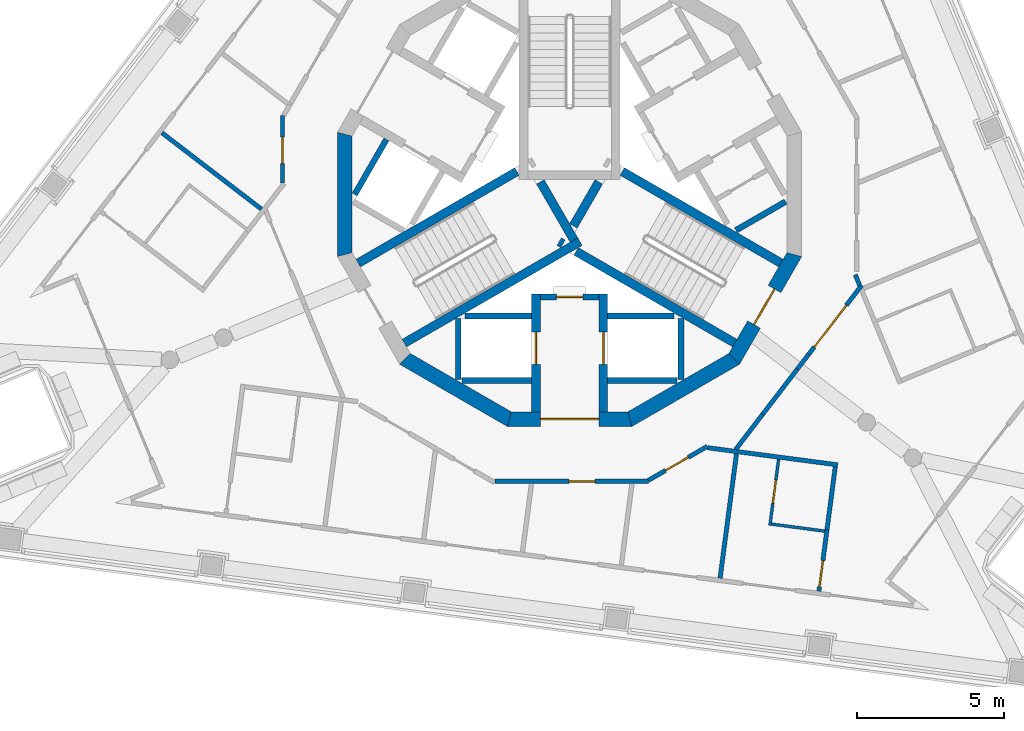
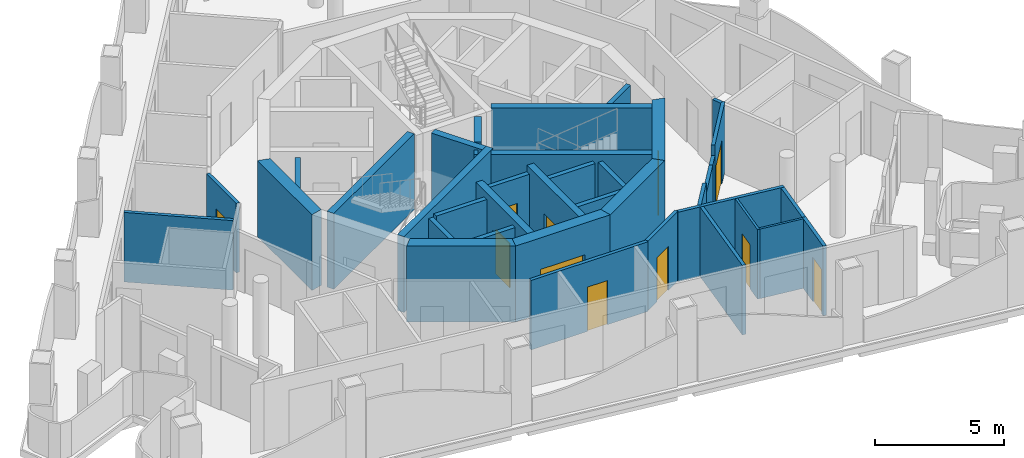
# One storey, part 3 of 12: 38 walls, 11 doors, 11 openings.
"""IFC4 building model written with IfcOpenShell, lengths in metres."""

from ifc_helpers import new_model, si_unit, direction, frame, frame_2d, origin, place, context, subcontext, project, spatial, polyline, rectangle, outline, extrude, material, layer, layer_set, type_object, element, fill, save


model = new_model("IFC4")

# Units and contexts
model_context = context("Model", 3, precision=1e-05, world=origin(), true_north=direction((0.0, 1.0)))
body_context = subcontext(model_context, "Body", "Model", "MODEL_VIEW")
ifc_project = project(units=[si_unit("LENGTHUNIT", "METRE"), si_unit("AREAUNIT", "SQUARE_METRE"), si_unit("VOLUMEUNIT", "CUBIC_METRE"), si_unit("PLANEANGLEUNIT", "RADIAN"), si_unit("MASSUNIT", "GRAM", prefix="KILO")], contexts=[model_context])

# Site, building, storey
site_placement = place(None, origin())
site = spatial("IfcSite", under=ifc_project, at=site_placement, CompositionType="ELEMENT")
building_placement = place(site_placement, origin())
building = spatial("IfcBuilding", under=site, at=building_placement, Name="Trine Commons Tower", CompositionType="ELEMENT")
storey_placement = place(building_placement, frame((0.0, 0.0, 279.0)))
storey = spatial("IfcBuildingStorey", under=building, at=storey_placement, Name="L73", CompositionType="ELEMENT", Elevation=279.0)

# Wall, opening, door
ifc_material_1 = material(Name="Fire-rated gypsum shaft wall system")
ifc_layer_1 = layer(ifc_material_1, 0.199951171875)
ifc_layer_set_1 = layer_set([ifc_layer_1], Name="Fire-rated gypsum shaft wall system")
wall_type_1 = type_object("IfcWallType", Name="Lobby end wall 200 mm, EI 120", PredefinedType="PARTITIONING", material=ifc_layer_set_1)
wall_1_placement = place(storey_placement, frame((79.0, 59.0, 0.0), z_axis=(0.0, 0.0, 1.0), x_axis=(1.0, 0.0, 0.0)))
wall_1 = element("IfcWall", 1, at=wall_1_placement, inside=storey, type_object=wall_type_1, Name="Lobby end wall L73", PredefinedType="PARTITIONING", context=body_context, shape_type="SweptSolid", body=[
    extrude(rectangle(XDim=2.0, YDim=0.199951171875, at=frame_2d((1.0, 0.0))), origin(), (0.0, 0.0, 1.0), 3.300048828125),
])
opening_1_placement = place(wall_1_placement, frame((0.550048828125, 0.0, 0.0)))
opening_1 = element("IfcOpeningElement", 2, at=opening_1_placement, cuts=wall_1, Name="Opening K19.09", PredefinedType="OPENING", context=body_context, shape_type="SweptSolid", body=[
    extrude(rectangle(XDim=0.89990234375, YDim=2.10009765625, at=frame_2d((0.449951171875, 1.050048828125))), frame((0.0, 0.10986328125, 0.0), z_axis=(0.0, -1.0, 0.0), x_axis=(1.0, 0.0, 0.0)), (0.0, 0.0, 1.0), 0.219970703125),
])
ifc_material_2 = material(Name="Steel door leaf, fire-rated", Category="steel")
door_type_1 = type_object("IfcDoorType", Name="Riser access door, single leaf 900 x 2100, FD60", OperationType="SINGLE_SWING_LEFT", PredefinedType="DOOR", material=ifc_material_2)
door_1_placement = place(opening_1_placement, frame((0.89990234375, 0.0, 0.0), z_axis=(0.0, 0.0, 1.0), x_axis=(-1.0, 0.0, 0.0)))
door_1 = element("IfcDoor", 3, at=door_1_placement, inside=storey, type_object=door_type_1, Name="Riser door, Communications riser L73", OperationType="SINGLE_SWING_RIGHT", OverallHeight=2.10009765625, OverallWidth=0.89990234375, PredefinedType="DOOR", context=body_context, shape_type="SweptSolid", body=[
    extrude(rectangle(XDim=0.89990234375, YDim=2.10009765625, at=frame_2d((0.449951171875, 1.050048828125))), frame((0.0, 0.02490234375, 0.0), z_axis=(0.0, -1.0, 0.0), x_axis=(1.0, 0.0, 0.0)), (0.0, 0.0, 1.0), 0.050048828125),
])
fill(opening_1, door_1)

ifc_material_3 = material(Name="Concrete C50/60", Category="concrete")
ifc_layer_2 = layer(ifc_material_3, 0.300048828125)
ifc_layer_set_2 = layer_set([ifc_layer_2], Name="Concrete C50/60")
wall_type_2 = type_object("IfcWallType", Name="RC shear wall 300 mm, C50/60", PredefinedType="SHEAR", material=ifc_layer_set_2)
wall_2_placement = place(storey_placement, frame((78.85009765625, 59.10009765625, 0.0), z_axis=(0.0, 0.0, 1.0), x_axis=(0.0, -1.0, 0.0)))
wall_2 = element("IfcWall", 4, at=wall_2_placement, inside=storey, type_object=wall_type_2, Name="Core cross wall SWD-03 L73", PredefinedType="SHEAR", context=body_context, shape_type="SweptSolid", body=[
    extrude(rectangle(XDim=4.02099609375, YDim=0.300048828125, at=frame_2d((2.010498046875, 0.0))), origin(), (0.0, 0.0, 1.0), 3.60009765625),
])
opening_2_placement = place(wall_2_placement, frame((1.300048828125, 0.0, 0.0)))
opening_2 = element("IfcOpeningElement", 5, at=opening_2_placement, cuts=wall_2, Name="Opening LD10", PredefinedType="OPENING", context=body_context, shape_type="SweptSolid", body=[
    extrude(rectangle(XDim=1.10009765625, YDim=2.10009765625, at=frame_2d((0.550048828125, 1.050048828125))), frame((0.0, 0.159912109375, 0.0), z_axis=(0.0, -1.0, 0.0), x_axis=(1.0, 0.0, 0.0)), (0.0, 0.0, 1.0), 0.320068359375),
])
ifc_material_4 = material(Name="Stainless steel sliding door leaves", Category="steel")
door_type_2 = type_object("IfcDoorType", Name="Lift landing door, centre-opening sliding 1100 x 2100, FD90", OperationType="DOUBLE_DOOR_SLIDING", PredefinedType="DOOR", material=ifc_material_4)
door_2_placement = place(opening_2_placement, origin())
door_2 = element("IfcDoor", 6, at=door_2_placement, inside=storey, type_object=door_type_2, Name="Lift landing door FF2 L73", OperationType="DOUBLE_DOOR_SLIDING", OverallHeight=2.10009765625, OverallWidth=1.10009765625, PredefinedType="DOOR", context=body_context, shape_type="SweptSolid", body=[
    extrude(rectangle(XDim=1.10009765625, YDim=2.10009765625, at=frame_2d((0.550048828125, 1.050048828125))), frame((0.0, 0.02490234375, 0.0), z_axis=(0.0, -1.0, 0.0), x_axis=(1.0, 0.0, 0.0)), (0.0, 0.0, 1.0), 0.050048828125),
])
fill(opening_2, door_2)

wall_3_placement = place(storey_placement, frame((81.14990234375, 59.10009765625, 0.0), z_axis=(0.0, 0.0, 1.0), x_axis=(0.0, -1.0, 0.0)))
wall_3 = element("IfcWall", 7, at=wall_3_placement, inside=storey, type_object=wall_type_2, Name="Core cross wall SWD-04 L73", PredefinedType="SHEAR", context=body_context, shape_type="SweptSolid", body=[
    extrude(rectangle(XDim=4.02099609375, YDim=0.300048828125, at=frame_2d((2.010498046875, 0.0))), origin(), (0.0, 0.0, 1.0), 3.60009765625),
])
opening_3_placement = place(wall_3_placement, frame((1.300048828125, 0.0, 0.0)))
opening_3 = element("IfcOpeningElement", 8, at=opening_3_placement, cuts=wall_3, Name="Opening LD9", PredefinedType="OPENING", context=body_context, shape_type="SweptSolid", body=[
    extrude(rectangle(XDim=1.10009765625, YDim=2.10009765625, at=frame_2d((0.550048828125, 1.050048828125))), frame((0.0, 0.159912109375, 0.0), z_axis=(0.0, -1.0, 0.0), x_axis=(1.0, 0.0, 0.0)), (0.0, 0.0, 1.0), 0.320068359375),
])
door_3_placement = place(opening_3_placement, origin())
door_3 = element("IfcDoor", 9, at=door_3_placement, inside=storey, type_object=door_type_2, Name="Lift landing door FF1 L73", OperationType="DOUBLE_DOOR_SLIDING", OverallHeight=2.10009765625, OverallWidth=1.10009765625, PredefinedType="DOOR", context=body_context, shape_type="SweptSolid", body=[
    extrude(rectangle(XDim=1.10009765625, YDim=2.10009765625, at=frame_2d((0.550048828125, 1.050048828125))), frame((0.0, 0.02490234375, 0.0), z_axis=(0.0, -1.0, 0.0), x_axis=(1.0, 0.0, 0.0)), (0.0, 0.0, 1.0), 0.050048828125),
])
fill(opening_3, door_3)

# Walls
wall_4_placement = place(storey_placement, frame((78.199951171875, 63.280029296875, 0.0), z_axis=(0.0, 0.0, 1.0), x_axis=(-0.866013897511, -0.50001992892, 0.0)))
element("IfcWall", 10, at=wall_4_placement, inside=storey, type_object=wall_type_2, Name="Core cross wall SWD-07 L73", PredefinedType="SHEAR", context=body_context, shape_type="SweptSolid", body=[
    extrude(rectangle(XDim=6.251708984375, YDim=0.300048828125, at=frame_2d((3.1259765625, 0.0))), origin(), (0.0, 0.0, 1.0), 3.60009765625),
])
wall_5_placement = place(storey_placement, frame((79.0029296875, 62.926025390625, 0.0), z_axis=(0.0, 0.0, 1.0), x_axis=(0.499965247104, -0.866045467449, 0.0)))
element("IfcWall", 11, at=wall_5_placement, inside=storey, type_object=wall_type_2, Name="Core cross wall SWD-10 L73", PredefinedType="SHEAR", context=body_context, shape_type="SweptSolid", body=[
    extrude(rectangle(XDim=2.292236328125, YDim=0.300048828125, at=frame_2d((1.14599609375, 0.0))), origin(), (0.0, 0.0, 1.0), 3.60009765625),
])
wall_6_placement = place(storey_placement, frame((79.64599609375, 60.885986328125, 0.0), z_axis=(0.0, 0.0, 1.0), x_axis=(0.867331893649, -0.497730234424, 0.0)))
element("IfcWall", 12, at=wall_6_placement, inside=storey, type_object=wall_type_2, Name="Core cross wall SWD-11 L73", PredefinedType="SHEAR", context=body_context, shape_type="SweptSolid", body=[
    extrude(rectangle(XDim=0.148681640625, YDim=0.300048828125, at=frame_2d((0.07421875, 0.0))), origin(), (0.0, 0.0, 1.0), 3.60009765625),
])
wall_7_placement = place(storey_placement, frame((80.1298828125, 61.424072265625, 0.0), z_axis=(0.0, 0.0, 1.0), x_axis=(0.500014901547, 0.866016800201, 0.0)))
element("IfcWall", 13, at=wall_7_placement, inside=storey, type_object=wall_type_2, Name="Core cross wall SWD-12 L73", PredefinedType="SHEAR", context=body_context, shape_type="SweptSolid", body=[
    extrude(rectangle(XDim=1.734375, YDim=0.300048828125, at=frame_2d((0.8671875, 0.0))), origin(), (0.0, 0.0, 1.0), 3.60009765625),
])
wall_8_placement = place(storey_placement, frame((80.22509765625, 60.552001953125, 0.0), z_axis=(0.0, 0.0, 1.0), x_axis=(0.866004133274, -0.500036839795, 0.0)))
element("IfcWall", 14, at=wall_8_placement, inside=storey, type_object=wall_type_2, Name="Core cross wall SWD-13 L73", PredefinedType="SHEAR", context=body_context, shape_type="SweptSolid", body=[
    extrude(rectangle(XDim=6.25146484375, YDim=0.300048828125, at=frame_2d((3.125732421875, 0.0))), origin(), (0.0, 0.0, 1.0), 3.60009765625),
])
wall_9_placement = place(storey_placement, frame((80.35400390625, 60.885986328125, 0.0), z_axis=(0.0, 0.0, 1.0), x_axis=(-0.86602871973, -0.49999425657, 0.0)))
element("IfcWall", 15, at=wall_9_placement, inside=storey, type_object=wall_type_2, Name="Core cross wall SWD-14 L73", PredefinedType="SHEAR", context=body_context, shape_type="SweptSolid", body=[
    extrude(rectangle(XDim=6.919921875, YDim=0.300048828125, at=frame_2d((3.4599609375, 0.0))), origin(), (0.0, 0.0, 1.0), 3.60009765625),
])
wall_10_placement = place(storey_placement, frame((81.800048828125, 63.280029296875, 0.0), z_axis=(0.0, 0.0, 1.0), x_axis=(0.866013897511, -0.50001992892, 0.0)))
element("IfcWall", 16, at=wall_10_placement, inside=storey, type_object=wall_type_2, Name="Core cross wall SWD-18 L73", PredefinedType="SHEAR", context=body_context, shape_type="SweptSolid", body=[
    extrude(rectangle(XDim=6.251708984375, YDim=0.300048828125, at=frame_2d((3.1259765625, 0.0))), origin(), (0.0, 0.0, 1.0), 3.60009765625),
])
ifc_layer_3 = layer(ifc_material_3, 0.5)
ifc_layer_set_3 = layer_set([ifc_layer_3], Name="Concrete C50/60")
wall_type_3 = type_object("IfcWallType", Name="RC shear wall 500 mm, C50/60", PredefinedType="SHEAR", material=ifc_layer_set_3)
for number, where, z_axis, x_axis, name in (
    (17, (72.329345703125, 64.622314453125, 0.0), (0.0, 0.0, 1.0), (0.0, -1.0, 0.0), "Core wall CWH-07 L73"),
    (18, (74.32666015625, 56.918212890625, 0.0), (0.0, 0.0, 1.0), (0.866029463428, -0.499992968425, 0.0), "Core wall CWH-09 L73"),
):
    element("IfcWall", number, at=place(storey_placement, frame(where, z_axis=z_axis, x_axis=x_axis)), inside=storey, type_object=wall_type_3, Name=name, PredefinedType="SHEAR", context=body_context, shape_type="SweptSolid", body=[
        extrude(outline(polyline([(0.0, -0.25), (4.24462890625, -0.25), (4.110595703125, 0.25), (0.134033203125, 0.25), (0.0, -0.25)])), origin(), (0.0, 0.0, 1.0), 3.60009765625),
    ])

# Wall, opening, door
wall_11_placement = place(storey_placement, frame((77.877685546875, 54.829345703125, 0.0), z_axis=(0.0, 0.0, 1.0), x_axis=(1.0, 0.0, 0.0)))
wall_11 = element("IfcWall", 19, at=wall_11_placement, inside=storey, type_object=wall_type_3, Name="Core wall CWH-10 L73", PredefinedType="SHEAR", context=body_context, shape_type="SweptSolid", body=[
    extrude(outline(polyline([(0.0, -0.25), (4.24462890625, -0.25), (4.110595703125, 0.25), (0.134033203125, 0.25), (0.0, -0.25)])), origin(), (0.0, 0.0, 1.0), 3.60009765625),
])
opening_4_placement = place(wall_11_placement, frame((1.122314453125, 0.0, 0.0)))
opening_4 = element("IfcOpeningElement", 20, at=opening_4_placement, cuts=wall_11, Name="Opening K19.08", PredefinedType="OPENING", context=body_context, shape_type="SweptSolid", body=[
    extrude(rectangle(XDim=2.0, YDim=2.10009765625, at=frame_2d((1.0, 1.050048828125))), frame((0.0, 0.260009765625, 0.0), z_axis=(0.0, -1.0, 0.0), x_axis=(1.0, 0.0, 0.0)), (0.0, 0.0, 1.0), 0.52001953125),
])
ifc_material_5 = material(Name="Steel door leaves, fire-rated", Category="steel")
door_type_3 = type_object("IfcDoorType", Name="Lobby door, double leaf 2000 x 2100, FD60", OperationType="DOUBLE_DOOR_SINGLE_SWING", PredefinedType="DOOR", material=ifc_material_5)
door_4_placement = place(opening_4_placement, origin())
door_4 = element("IfcDoor", 21, at=door_4_placement, inside=storey, type_object=door_type_3, Name="Lobby door, Service and firefighting lobby L73", OperationType="DOUBLE_DOOR_SINGLE_SWING", OverallHeight=2.10009765625, OverallWidth=2.0, PredefinedType="DOOR", context=body_context, shape_type="SweptSolid", body=[
    extrude(rectangle(XDim=2.0, YDim=2.10009765625, at=frame_2d((1.0, 1.050048828125))), frame((0.0, 0.02490234375, 0.0), z_axis=(0.0, -1.0, 0.0), x_axis=(1.0, 0.0, 0.0)), (0.0, 0.0, 1.0), 0.050048828125),
])
fill(opening_4, door_4)

# Wall
wall_12_placement = place(storey_placement, frame((81.997314453125, 54.7958984375, 0.0), z_axis=(0.0, 0.0, 1.0), x_axis=(0.866029463428, 0.499992968425, 0.0)))
element("IfcWall", 22, at=wall_12_placement, inside=storey, type_object=wall_type_3, Name="Core wall CWH-11 L73", PredefinedType="SHEAR", context=body_context, shape_type="SweptSolid", body=[
    extrude(outline(polyline([(0.0, -0.25), (4.24462890625, -0.25), (4.110595703125, 0.25), (0.134033203125, 0.25), (0.0, -0.25)])), origin(), (0.0, 0.0, 1.0), 3.60009765625),
])

# Wall, opening, door
wall_13_placement = place(storey_placement, frame((85.581787109375, 56.82666015625, 0.0), z_axis=(0.0, 0.0, 1.0), x_axis=(0.499992968425, 0.866029463428, 0.0)))
wall_13 = element("IfcWall", 23, at=wall_13_placement, inside=storey, type_object=wall_type_3, Name="Core wall CWH-12 L73", PredefinedType="SHEAR", context=body_context, shape_type="SweptSolid", body=[
    extrude(outline(polyline([(0.0, -0.25), (4.24462890625, -0.25), (4.110595703125, 0.25), (0.134033203125, 0.25), (0.0, -0.25)])), origin(), (0.0, 0.0, 1.0), 3.60009765625),
])
opening_5_placement = place(wall_13_placement, frame((1.42236328125, 0.0, 0.0)))
opening_5 = element("IfcOpeningElement", 24, at=opening_5_placement, cuts=wall_13, Name="Opening K19.03", PredefinedType="OPENING", context=body_context, shape_type="SweptSolid", body=[
    extrude(rectangle(XDim=1.39990234375, YDim=2.10009765625, at=frame_2d((0.699951171875, 1.050048828125))), frame((0.0, 0.260009765625, 0.0), z_axis=(0.0, -1.0, 0.0), x_axis=(1.0, 0.0, 0.0)), (0.0, 0.0, 1.0), 0.52001953125),
])
door_type_4 = type_object("IfcDoorType", Name="Stair door, double leaf 1400 x 2100, FD90", OperationType="DOUBLE_DOOR_SINGLE_SWING", PredefinedType="DOOR", material=ifc_material_5)
door_5_placement = place(opening_5_placement, origin())
door_5 = element("IfcDoor", 25, at=door_5_placement, inside=storey, type_object=door_type_4, Name="Stair door to Exit stair ST3D L73", OperationType="DOUBLE_DOOR_SINGLE_SWING", OverallHeight=2.10009765625, OverallWidth=1.39990234375, PredefinedType="DOOR", context=body_context, shape_type="SweptSolid", body=[
    extrude(rectangle(XDim=1.39990234375, YDim=2.10009765625, at=frame_2d((0.699951171875, 1.050048828125))), frame((0.0, 0.02490234375, 0.0), z_axis=(0.0, -1.0, 0.0), x_axis=(1.0, 0.0, 0.0)), (0.0, 0.0, 1.0), 0.050048828125),
])
fill(opening_5, door_5)

# Walls
ifc_layer_4 = layer(ifc_material_1, 0.199951171875)
ifc_layer_set_4 = layer_set([ifc_layer_4], Name="Fire-rated gypsum shaft wall system")
wall_type_4 = type_object("IfcWallType", Name="Shaft wall 200 mm, EI 120", PredefinedType="PARTITIONING", material=ifc_layer_set_4)
wall_14_placement = place(storey_placement, frame((73.7509765625, 64.3759765625, 0.0), z_axis=(0.0, 0.0, 1.0), x_axis=(-0.499865263774, -0.866103179807, 0.0)))
element("IfcWall", 26, at=wall_14_placement, inside=storey, type_object=wall_type_4, Name="Shaft wall L73", PredefinedType="PARTITIONING", context=body_context, shape_type="SweptSolid", body=[
    extrude(rectangle(XDim=2.17041015625, YDim=0.199951171875, at=frame_2d((1.085205078125, 0.0))), origin(), (0.0, 0.0, 1.0), 3.300048828125),
])
wall_15_placement = place(storey_placement, frame((76.199951171875, 58.257080078125, 0.0), z_axis=(0.0, 0.0, 1.0), x_axis=(0.0, -1.0, 0.0)))
element("IfcWall", 27, at=wall_15_placement, inside=storey, type_object=wall_type_4, Name="Shaft wall L73", PredefinedType="PARTITIONING", context=body_context, shape_type="SweptSolid", body=[
    extrude(rectangle(XDim=2.073974609375, YDim=0.199951171875, at=frame_2d((1.037109375, 0.0))), origin(), (0.0, 0.0, 1.0), 3.300048828125),
])
wall_16_placement = place(storey_placement, frame((78.699951171875, 56.14990234375, 0.0), z_axis=(0.0, 0.0, 1.0), x_axis=(-1.0, 0.0, 0.0)))
element("IfcWall", 28, at=wall_16_placement, inside=storey, type_object=wall_type_4, Name="Shaft wall L73", PredefinedType="PARTITIONING", context=body_context, shape_type="SweptSolid", body=[
    extrude(rectangle(XDim=2.368896484375, YDim=0.199951171875, at=frame_2d((1.1845703125, 0.0))), origin(), (0.0, 0.0, 1.0), 3.300048828125),
])
wall_17_placement = place(storey_placement, frame((78.699951171875, 58.35009765625, 0.0), z_axis=(0.0, 0.0, 1.0), x_axis=(-1.0, 0.0, 0.0)))
element("IfcWall", 29, at=wall_17_placement, inside=storey, type_object=wall_type_4, Name="Shaft wall L73", PredefinedType="PARTITIONING", context=body_context, shape_type="SweptSolid", body=[
    extrude(rectangle(XDim=2.264892578125, YDim=0.199951171875, at=frame_2d((1.13232421875, 0.0))), origin(), (0.0, 0.0, 1.0), 3.300048828125),
])
wall_18_placement = place(storey_placement, frame((81.300048828125, 56.14990234375, 0.0), z_axis=(0.0, 0.0, 1.0), x_axis=(1.0, 0.0, 0.0)))
element("IfcWall", 30, at=wall_18_placement, inside=storey, type_object=wall_type_4, Name="Shaft wall L73", PredefinedType="PARTITIONING", context=body_context, shape_type="SweptSolid", body=[
    extrude(rectangle(XDim=2.368896484375, YDim=0.199951171875, at=frame_2d((1.1845703125, 0.0))), origin(), (0.0, 0.0, 1.0), 3.300048828125),
])
wall_19_placement = place(storey_placement, frame((81.300048828125, 58.35009765625, 0.0), z_axis=(0.0, 0.0, 1.0), x_axis=(1.0, 0.0, 0.0)))
element("IfcWall", 31, at=wall_19_placement, inside=storey, type_object=wall_type_4, Name="Shaft wall L73", PredefinedType="PARTITIONING", context=body_context, shape_type="SweptSolid", body=[
    extrude(rectangle(XDim=2.264892578125, YDim=0.199951171875, at=frame_2d((1.13232421875, 0.0))), origin(), (0.0, 0.0, 1.0), 3.300048828125),
])
wall_20_placement = place(storey_placement, frame((83.800048828125, 58.257080078125, 0.0), z_axis=(0.0, 0.0, 1.0), x_axis=(0.0, -1.0, 0.0)))
element("IfcWall", 32, at=wall_20_placement, inside=storey, type_object=wall_type_4, Name="Shaft wall L73", PredefinedType="PARTITIONING", context=body_context, shape_type="SweptSolid", body=[
    extrude(rectangle(XDim=2.073974609375, YDim=0.199951171875, at=frame_2d((1.037109375, 0.0))), origin(), (0.0, 0.0, 1.0), 3.300048828125),
])
wall_21_placement = place(storey_placement, frame((85.675048828125, 61.27294921875, 0.0), z_axis=(0.0, 0.0, 1.0), x_axis=(0.86585547495, 0.500294209939, 0.0)))
element("IfcWall", 33, at=wall_21_placement, inside=storey, type_object=wall_type_4, Name="Shaft wall L73", PredefinedType="PARTITIONING", context=body_context, shape_type="SweptSolid", body=[
    extrude(rectangle(XDim=1.958740234375, YDim=0.199951171875, at=frame_2d((0.9794921875, 0.0))), origin(), (0.0, 0.0, 1.0), 3.300048828125),
])
ifc_material_6 = material(Name="Gypsum plasterboard on steel stud", Category="steel")
ifc_layer_5 = layer(ifc_material_6, 0.14990234375)
ifc_layer_set_5 = layer_set([ifc_layer_5], Name="Gypsum plasterboard on steel stud")
wall_type_5 = type_object("IfcWallType", Name="Unit and corridor wall 150 mm, EI 60", PredefinedType="PARTITIONING", material=ifc_layer_set_5)
wall_22_placement = place(storey_placement, frame((66.087646484375, 64.6025390625, 0.0), z_axis=(0.0, 0.0, 1.0), x_axis=(0.793347717383, -0.608768756855, 0.0)))
element("IfcWall", 34, at=wall_22_placement, inside=storey, type_object=wall_type_5, Name="Partition 003", PredefinedType="PARTITIONING", context=body_context, shape_type="SweptSolid", body=[
    extrude(rectangle(XDim=4.285400390625, YDim=0.14990234375, at=frame_2d((2.142578125, 0.0))), origin(), (0.0, 0.0, 1.0), 3.300048828125),
])

# Wall, opening, door
wall_23_placement = place(storey_placement, frame((70.2041015625, 62.8798828125, 0.0), z_axis=(0.0, 0.0, 1.0), x_axis=(0.0, 1.0, 0.0)))
wall_23 = element("IfcWall", 35, at=wall_23_placement, inside=storey, type_object=wall_type_5, Name="Partition 014", PredefinedType="PARTITIONING", context=body_context, shape_type="SweptSolid", body=[
    extrude(rectangle(XDim=2.320068359375, YDim=0.14990234375, at=frame_2d((1.16015625, 0.0))), origin(), (0.0, 0.0, 1.0), 3.300048828125),
])
opening_6_placement = place(wall_23_placement, frame((0.672607421875, 0.0, 0.0)))
opening_6 = element("IfcOpeningElement", 36, at=opening_6_placement, cuts=wall_23, Name="Opening D-8A05", PredefinedType="OPENING", context=body_context, shape_type="SweptSolid", body=[
    extrude(rectangle(XDim=0.89990234375, YDim=2.10009765625, at=frame_2d((0.449951171875, 1.050048828125))), frame((0.0, 0.0849609375, 0.0), z_axis=(0.0, -1.0, 0.0), x_axis=(1.0, 0.0, 0.0)), (0.0, 0.0, 1.0), 0.169921875),
])
ifc_material_7 = material(Name="Timber fire door set", Category="wood")
door_type_5 = type_object("IfcDoorType", Name="Service door 900 x 2100, FD30S", OperationType="NOTDEFINED", PredefinedType="DOOR", material=ifc_material_7)
door_6_placement = place(opening_6_placement, origin())
door_6 = element("IfcDoor", 37, at=door_6_placement, inside=storey, type_object=door_type_5, Name="Door D-8A05", OperationType="SINGLE_SWING_LEFT", OverallHeight=2.10009765625, OverallWidth=0.89990234375, PredefinedType="DOOR", context=body_context, shape_type="SweptSolid", body=[
    extrude(rectangle(XDim=0.89990234375, YDim=2.10009765625, at=frame_2d((0.449951171875, 1.050048828125))), frame((0.0, 0.02490234375, 0.0), z_axis=(0.0, -1.0, 0.0), x_axis=(1.0, 0.0, 0.0)), (0.0, 0.0, 1.0), 0.050048828125),
])
fill(opening_6, door_6)

wall_24_placement = place(storey_placement, frame((77.449951171875, 52.7041015625, 0.0), z_axis=(0.0, 0.0, 1.0), x_axis=(1.0, 0.0, 0.0)))
wall_24 = element("IfcWall", 38, at=wall_24_placement, inside=storey, type_object=wall_type_5, Name="Partition 027", PredefinedType="PARTITIONING", context=body_context, shape_type="SweptSolid", body=[
    extrude(rectangle(XDim=5.25, YDim=0.14990234375, at=frame_2d((2.625, 0.0))), origin(), (0.0, 0.0, 1.0), 3.300048828125),
])
opening_7_placement = place(wall_24_placement, frame((2.52490234375, 0.0, 0.0)))
opening_7 = element("IfcOpeningElement", 39, at=opening_7_placement, cuts=wall_24, Name="Opening D-8A16", PredefinedType="OPENING", context=body_context, shape_type="SweptSolid", body=[
    extrude(rectangle(XDim=0.89990234375, YDim=2.10009765625, at=frame_2d((0.449951171875, 1.050048828125))), frame((0.0, 0.0849609375, 0.0), z_axis=(0.0, -1.0, 0.0), x_axis=(1.0, 0.0, 0.0)), (0.0, 0.0, 1.0), 0.169921875),
])
door_7_placement = place(opening_7_placement, frame((0.89990234375, 0.0, 0.0), z_axis=(0.0, 0.0, 1.0), x_axis=(-1.0, 0.0, 0.0)))
door_7 = element("IfcDoor", 40, at=door_7_placement, inside=storey, type_object=door_type_5, Name="Door D-8A16", OperationType="SINGLE_SWING_LEFT", OverallHeight=2.10009765625, OverallWidth=0.89990234375, PredefinedType="DOOR", context=body_context, shape_type="SweptSolid", body=[
    extrude(rectangle(XDim=0.89990234375, YDim=2.10009765625, at=frame_2d((0.449951171875, 1.050048828125))), frame((0.0, 0.02490234375, 0.0), z_axis=(0.0, -1.0, 0.0), x_axis=(1.0, 0.0, 0.0)), (0.0, 0.0, 1.0), 0.050048828125),
])
fill(opening_7, door_7)

wall_25_placement = place(storey_placement, frame((82.68994140625, 52.741455078125, 0.0), z_axis=(0.0, 0.0, 1.0), x_axis=(0.865980532278, 0.500077711676, 0.0)))
wall_25 = element("IfcWall", 41, at=wall_25_placement, inside=storey, type_object=wall_type_5, Name="Partition 032", PredefinedType="PARTITIONING", context=body_context, shape_type="SweptSolid", body=[
    extrude(rectangle(XDim=2.320068359375, YDim=0.14990234375, at=frame_2d((1.16015625, 0.0))), origin(), (0.0, 0.0, 1.0), 3.300048828125),
])
opening_8_placement = place(wall_25_placement, frame((0.672607421875, 0.0, 0.0)))
opening_8 = element("IfcOpeningElement", 42, at=opening_8_placement, cuts=wall_25, Name="Opening D-8A15", PredefinedType="OPENING", context=body_context, shape_type="SweptSolid", body=[
    extrude(rectangle(XDim=0.89990234375, YDim=2.10009765625, at=frame_2d((0.449951171875, 1.050048828125))), frame((0.0, 0.0849609375, 0.0), z_axis=(0.0, -1.0, 0.0), x_axis=(1.0, 0.0, 0.0)), (0.0, 0.0, 1.0), 0.169921875),
])
door_8_placement = place(opening_8_placement, frame((0.89990234375, 0.0, 0.0), z_axis=(0.0, 0.0, 1.0), x_axis=(-1.0, 0.0, 0.0)))
door_8 = element("IfcDoor", 43, at=door_8_placement, inside=storey, type_object=door_type_5, Name="Door D-8A15", OperationType="SINGLE_SWING_RIGHT", OverallHeight=2.10009765625, OverallWidth=0.89990234375, PredefinedType="DOOR", context=body_context, shape_type="SweptSolid", body=[
    extrude(rectangle(XDim=0.89990234375, YDim=2.10009765625, at=frame_2d((0.449951171875, 1.050048828125))), frame((0.0, 0.02490234375, 0.0), z_axis=(0.0, -1.0, 0.0), x_axis=(1.0, 0.0, 0.0)), (0.0, 0.0, 1.0), 0.050048828125),
])
fill(opening_8, door_8)

# Walls
wall_26_placement = place(storey_placement, frame((84.70849609375, 53.854248046875, 0.0), z_axis=(0.0, 0.0, 1.0), x_axis=(0.991439822363, -0.130564461602, 0.0)))
element("IfcWall", 44, at=wall_26_placement, inside=storey, type_object=wall_type_5, Name="Partition 033", PredefinedType="PARTITIONING", context=body_context, shape_type="SweptSolid", body=[
    extrude(rectangle(XDim=4.480224609375, YDim=0.14990234375, at=frame_2d((2.240234375, 0.0))), origin(), (0.0, 0.0, 1.0), 3.300048828125),
])
wall_27_placement = place(storey_placement, frame((85.13525390625, 49.400634765625, 0.0), z_axis=(0.0, 0.0, 1.0), x_axis=(0.130708020628, 0.991420906247, 0.0)))
element("IfcWall", 45, at=wall_27_placement, inside=storey, type_object=wall_type_5, Name="Partition 036", PredefinedType="PARTITIONING", context=body_context, shape_type="SweptSolid", body=[
    extrude(rectangle(XDim=4.284912109375, YDim=0.14990234375, at=frame_2d((2.142578125, 0.0))), origin(), (0.0, 0.0, 1.0), 3.300048828125),
])
wall_28_placement = place(storey_placement, frame((85.66650390625, 53.79345703125, 0.0), z_axis=(0.0, 0.0, 1.0), x_axis=(0.608584360589, 0.79348917828, 0.0)))
element("IfcWall", 46, at=wall_28_placement, inside=storey, type_object=wall_type_5, Name="Partition 038", PredefinedType="PARTITIONING", context=body_context, shape_type="SweptSolid", body=[
    extrude(rectangle(XDim=1.50927734375, YDim=0.14990234375, at=frame_2d((0.754638671875, 0.0))), origin(), (0.0, 0.0, 1.0), 3.300048828125),
])
wall_29_placement = place(storey_placement, frame((86.5849609375, 54.990966796875, 0.0), z_axis=(0.0, 0.0, 1.0), x_axis=(0.608644571119, 0.793442994832, 0.0)))
element("IfcWall", 47, at=wall_29_placement, inside=storey, type_object=wall_type_5, Name="Partition 039", PredefinedType="PARTITIONING", context=body_context, shape_type="SweptSolid", body=[
    extrude(rectangle(XDim=1.94873046875, YDim=0.14990234375, at=frame_2d((0.974365234375, 0.0))), origin(), (0.0, 0.0, 1.0), 2.800048828125),
])
wall_30_placement = place(storey_placement, frame((87.77099609375, 56.537109375, 0.0), z_axis=(0.0, 0.0, 1.0), x_axis=(0.60945333551, 0.792821942075, 0.0)))
element("IfcWall", 48, at=wall_30_placement, inside=storey, type_object=wall_type_5, Name="Partition 044", PredefinedType="PARTITIONING", context=body_context, shape_type="SweptSolid", body=[
    extrude(rectangle(XDim=0.641845703125, YDim=0.14990234375, at=frame_2d((0.32080078125, 0.0))), origin(), (0.0, 0.0, 1.0), 2.800048828125),
])

# Wall, opening, door
wall_31_placement = place(storey_placement, frame((88.1630859375, 57.047119140625, 0.0), z_axis=(0.0, 0.0, 1.0), x_axis=(0.608858566232, 0.793278794829, 0.0)))
wall_31 = element("IfcWall", 49, at=wall_31_placement, inside=storey, type_object=wall_type_5, Name="Partition 045", PredefinedType="PARTITIONING", context=body_context, shape_type="SweptSolid", body=[
    extrude(rectangle(XDim=2.964111328125, YDim=0.14990234375, at=frame_2d((1.48193359375, 0.0))), origin(), (0.0, 0.0, 1.0), 3.300048828125),
])
opening_9_placement = place(wall_31_placement, frame((0.307861328125, 0.0, 0.0)))
opening_9 = element("IfcOpeningElement", 50, at=opening_9_placement, cuts=wall_31, Name="Opening D-8A02", PredefinedType="OPENING", context=body_context, shape_type="SweptSolid", body=[
    extrude(rectangle(XDim=1.800048828125, YDim=2.10009765625, at=frame_2d((0.89990234375, 1.050048828125))), frame((0.0, 0.0849609375, 0.0), z_axis=(0.0, -1.0, 0.0), x_axis=(1.0, 0.0, 0.0)), (0.0, 0.0, 1.0), 0.169921875),
])
door_type_6 = type_object("IfcDoorType", Name="Cluster entrance door 1800 x 2100, double leaf, FD30S", OperationType="DOUBLE_DOOR_DOUBLE_SWING", PredefinedType="DOOR", material=ifc_material_7)
door_9_placement = place(opening_9_placement, frame((1.800048828125, 0.0, 0.0), z_axis=(0.0, 0.0, 1.0), x_axis=(-1.0, 0.0, 0.0)))
door_9 = element("IfcDoor", 51, at=door_9_placement, inside=storey, type_object=door_type_6, Name="Door D-8A02", OperationType="DOUBLE_DOOR_DOUBLE_SWING", OverallHeight=2.10009765625, OverallWidth=1.800048828125, PredefinedType="DOOR", context=body_context, shape_type="SweptSolid", body=[
    extrude(rectangle(XDim=1.800048828125, YDim=2.10009765625, at=frame_2d((0.89990234375, 1.050048828125))), frame((0.0, 0.02490234375, 0.0), z_axis=(0.0, -1.0, 0.0), x_axis=(1.0, 0.0, 0.0)), (0.0, 0.0, 1.0), 0.050048828125),
])
fill(opening_9, door_9)

wall_32_placement = place(storey_placement, frame((88.507080078125, 48.956787109375, 0.0), z_axis=(0.0, 0.0, 1.0), x_axis=(0.130741320537, 0.991416515449, 0.0)))
wall_32 = element("IfcWall", 52, at=wall_32_placement, inside=storey, type_object=wall_type_5, Name="Partition 046", PredefinedType="PARTITIONING", context=body_context, shape_type="SweptSolid", body=[
    extrude(rectangle(XDim=2.11376953125, YDim=0.14990234375, at=frame_2d((1.056884765625, 0.0))), origin(), (0.0, 0.0, 1.0), 3.300048828125),
])
opening_10_placement = place(wall_32_placement, frame((0.14990234375, 0.0, 0.0)))
opening_10 = element("IfcOpeningElement", 53, at=opening_10_placement, cuts=wall_32, Name="Opening D-8A14", PredefinedType="OPENING", context=body_context, shape_type="SweptSolid", body=[
    extrude(rectangle(XDim=0.89990234375, YDim=2.10009765625, at=frame_2d((0.449951171875, 1.050048828125))), frame((0.0, 0.0849609375, 0.0), z_axis=(0.0, -1.0, 0.0), x_axis=(1.0, 0.0, 0.0)), (0.0, 0.0, 1.0), 0.169921875),
])
door_type_7 = type_object("IfcDoorType", Name="Bedroom door 900 x 2100, FD30S", OperationType="NOTDEFINED", PredefinedType="DOOR", material=ifc_material_7)
door_10_placement = place(opening_10_placement, origin())
door_10 = element("IfcDoor", 54, at=door_10_placement, inside=storey, type_object=door_type_7, Name="Door D-8A14", OperationType="SINGLE_SWING_LEFT", OverallHeight=2.10009765625, OverallWidth=0.89990234375, PredefinedType="DOOR", context=body_context, shape_type="SweptSolid", body=[
    extrude(rectangle(XDim=0.89990234375, YDim=2.10009765625, at=frame_2d((0.449951171875, 1.050048828125))), frame((0.0, 0.02490234375, 0.0), z_axis=(0.0, -1.0, 0.0), x_axis=(1.0, 0.0, 0.0)), (0.0, 0.0, 1.0), 0.050048828125),
])
fill(opening_10, door_10)

# Walls
wall_33_placement = place(storey_placement, frame((88.77587890625, 50.9951171875, 0.0), z_axis=(0.0, 0.0, 1.0), x_axis=(0.130261799361, 0.991479633491, 0.0)))
element("IfcWall", 55, at=wall_33_placement, inside=storey, type_object=wall_type_5, Name="Partition 047", PredefinedType="PARTITIONING", context=body_context, shape_type="SweptSolid", body=[
    extrude(rectangle(XDim=2.228515625, YDim=0.14990234375, at=frame_2d((1.1142578125, 0.0))), origin(), (0.0, 0.0, 1.0), 3.300048828125),
])
wall_34_placement = place(storey_placement, frame((89.747802734375, 59.760498046875, 0.0), z_axis=(0.0, 0.0, 1.0), x_axis=(0.382100188932, -0.924120904221, 0.0)))
element("IfcWall", 56, at=wall_34_placement, inside=storey, type_object=wall_type_5, Name="Partition 049", PredefinedType="PARTITIONING", context=body_context, shape_type="SweptSolid", body=[
    extrude(rectangle(XDim=0.39990234375, YDim=0.14990234375, at=frame_2d((0.199951171875, 0.0))), origin(), (0.0, 0.0, 1.0), 3.300048828125),
])

# Wall, opening, door
ifc_layer_6 = layer(ifc_material_6, 0.10009765625)
ifc_layer_set_6 = layer_set([ifc_layer_6], Name="Gypsum plasterboard on steel stud")
wall_type_6 = type_object("IfcWallType", Name="Unit partition 100 mm, no rating", PredefinedType="PARTITIONING", material=ifc_layer_set_6)
wall_35_placement = place(storey_placement, frame((86.83642578125, 51.204345703125, 0.0), z_axis=(0.0, 0.0, 1.0), x_axis=(0.130504484341, 0.991447719029, 0.0)))
wall_35 = element("IfcWall", 57, at=wall_35_placement, inside=storey, type_object=wall_type_6, Name="Partition 040", PredefinedType="PARTITIONING", context=body_context, shape_type="SweptSolid", body=[
    extrude(rectangle(XDim=2.27490234375, YDim=0.10009765625, at=frame_2d((1.137451171875, 0.0))), origin(), (0.0, 0.0, 1.0), 3.300048828125),
])
opening_11_placement = place(wall_35_placement, frame((0.76220703125, 0.0, 0.0)))
opening_11 = element("IfcOpeningElement", 58, at=opening_11_placement, cuts=wall_35, Name="Opening D-8A22", PredefinedType="OPENING", context=body_context, shape_type="SweptSolid", body=[
    extrude(rectangle(XDim=0.800048828125, YDim=2.10009765625, at=frame_2d((0.39990234375, 1.050048828125))), frame((0.0, 0.06005859375, 0.0), z_axis=(0.0, -1.0, 0.0), x_axis=(1.0, 0.0, 0.0)), (0.0, 0.0, 1.0), 0.1201171875),
])
ifc_material_8 = material(Name="Painted timber", Category="wood")
door_type_8 = type_object("IfcDoorType", Name="Internal door 800 x 2100, NOT RATED", OperationType="NOTDEFINED", PredefinedType="DOOR", material=ifc_material_8)
door_11_placement = place(opening_11_placement, origin())
door_11 = element("IfcDoor", 59, at=door_11_placement, inside=storey, type_object=door_type_8, Name="Door D-8A22", OperationType="SINGLE_SWING_RIGHT", OverallHeight=2.10009765625, OverallWidth=0.800048828125, PredefinedType="DOOR", context=body_context, shape_type="SweptSolid", body=[
    extrude(rectangle(XDim=0.800048828125, YDim=2.10009765625, at=frame_2d((0.39990234375, 1.050048828125))), frame((0.0, 0.02490234375, 0.0), z_axis=(0.0, -1.0, 0.0), x_axis=(1.0, 0.0, 0.0)), (0.0, 0.0, 1.0), 0.050048828125),
])
fill(opening_11, door_11)

# Wall
wall_36_placement = place(storey_placement, frame((86.892578125, 51.24755859375, 0.0), z_axis=(0.0, 0.0, 1.0), x_axis=(0.991402303004, -0.130849048899, 0.0)))
element("IfcWall", 60, at=wall_36_placement, inside=storey, type_object=wall_type_6, Name="Partition 041", PredefinedType="PARTITIONING", context=body_context, shape_type="SweptSolid", body=[
    extrude(rectangle(XDim=1.82470703125, YDim=0.10009765625, at=frame_2d((0.912353515625, 0.0))), origin(), (0.0, 0.0, 1.0), 3.300048828125),
])

save(model, "model.ifc")
